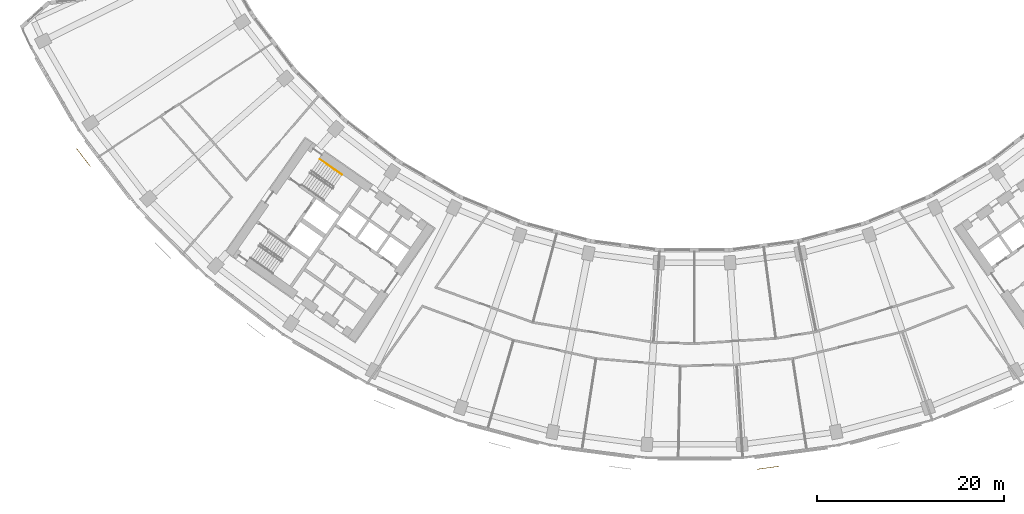
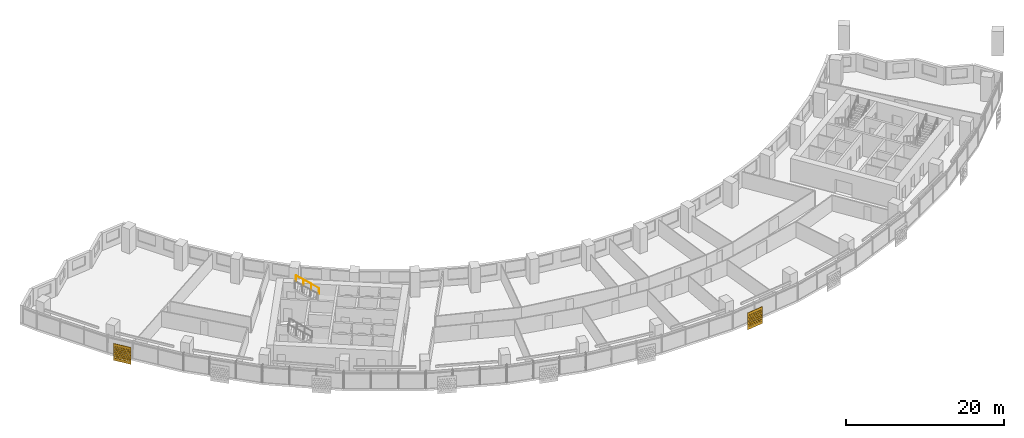
# One storey, part 26 of 29: 2 shading devices, 1 railing.
"""IFC4 building model written with IfcOpenShell, lengths in metres."""

from ifc_helpers import new_model, si_unit, direction, frame, origin, origin_2d, place, context, subcontext, project, spatial, polyline, circle, outline, extrude, material, material_profile, profile_set, type_object, element, save


model = new_model("IFC4")

# Units and contexts
model_context = context("Model", 3, precision=1e-05, world=origin(), true_north=direction((0.0, 1.0)))
body_context = subcontext(model_context, "Body", "Model", "MODEL_VIEW")
ifc_project = project(units=[si_unit("LENGTHUNIT", "METRE"), si_unit("AREAUNIT", "SQUARE_METRE"), si_unit("VOLUMEUNIT", "CUBIC_METRE"), si_unit("PLANEANGLEUNIT", "RADIAN"), si_unit("MASSUNIT", "GRAM", prefix="KILO")], contexts=[model_context])

# Site, building, storey
site_placement = place(None, origin())
site = spatial("IfcSite", under=ifc_project, at=site_placement, CompositionType="ELEMENT")
building_placement = place(site_placement, origin())
building = spatial("IfcBuilding", under=site, at=building_placement, Name="Qamariyya Broadcast Tower", CompositionType="ELEMENT")
storey_placement = place(building_placement, frame((0.0, 0.0, 113.89990234375)))
storey = spatial("IfcBuildingStorey", under=building, at=storey_placement, Name="L25", CompositionType="ELEMENT", Elevation=113.89990234375)

# Shading devices
ifc_material_1 = material(Name="Perforated glazed terracotta", Category="masonry")
ifc_material_profile = material_profile(ifc_material_1, outline(polyline([(-1.199951171875, -1.300048828125), (1.199951171875, -1.300048828125), (1.199951171875, 1.300048828125), (-1.199951171875, 1.300048828125), (-1.199951171875, -1.300048828125)]), holes=[polyline([(-0.81494140625, -0.86669921875), (-0.89990234375, -0.78173828125), (-0.985107421875, -0.86669921875), (-0.89990234375, -0.95166015625), (-0.81494140625, -0.86669921875)]), polyline([(-0.514892578125, -0.86669921875), (-0.60009765625, -0.78173828125), (-0.68505859375, -0.86669921875), (-0.60009765625, -0.95166015625), (-0.514892578125, -0.86669921875)]), polyline([(-0.215087890625, -0.86669921875), (-0.300048828125, -0.78173828125), (-0.385009765625, -0.86669921875), (-0.300048828125, -0.95166015625), (-0.215087890625, -0.86669921875)]), polyline([(0.0849609375, -0.86669921875), (0.0, -0.78173828125), (-0.0849609375, -0.86669921875), (0.0, -0.95166015625), (0.0849609375, -0.86669921875)]), polyline([(0.385009765625, -0.86669921875), (0.300048828125, -0.78173828125), (0.215087890625, -0.86669921875), (0.300048828125, -0.95166015625), (0.385009765625, -0.86669921875)]), polyline([(0.68505859375, -0.86669921875), (0.60009765625, -0.78173828125), (0.514892578125, -0.86669921875), (0.60009765625, -0.95166015625), (0.68505859375, -0.86669921875)]), polyline([(0.985107421875, -0.86669921875), (0.89990234375, -0.78173828125), (0.81494140625, -0.86669921875), (0.89990234375, -0.95166015625), (0.985107421875, -0.86669921875)]), polyline([(-0.965087890625, -0.577880859375), (-1.050048828125, -0.49267578125), (-1.135009765625, -0.577880859375), (-1.050048828125, -0.662841796875), (-0.965087890625, -0.577880859375)]), polyline([(-0.6650390625, -0.577880859375), (-0.75, -0.49267578125), (-0.8349609375, -0.577880859375), (-0.75, -0.662841796875), (-0.6650390625, -0.577880859375)]), polyline([(-0.364990234375, -0.577880859375), (-0.449951171875, -0.49267578125), (-0.534912109375, -0.577880859375), (-0.449951171875, -0.662841796875), (-0.364990234375, -0.577880859375)]), polyline([(-0.06494140625, -0.577880859375), (-0.14990234375, -0.49267578125), (-0.235107421875, -0.577880859375), (-0.14990234375, -0.662841796875), (-0.06494140625, -0.577880859375)]), polyline([(0.235107421875, -0.577880859375), (0.14990234375, -0.49267578125), (0.06494140625, -0.577880859375), (0.14990234375, -0.662841796875), (0.235107421875, -0.577880859375)]), polyline([(0.534912109375, -0.577880859375), (0.449951171875, -0.49267578125), (0.364990234375, -0.577880859375), (0.449951171875, -0.662841796875), (0.534912109375, -0.577880859375)]), polyline([(0.8349609375, -0.577880859375), (0.75, -0.49267578125), (0.6650390625, -0.577880859375), (0.75, -0.662841796875), (0.8349609375, -0.577880859375)]), polyline([(1.135009765625, -0.577880859375), (1.050048828125, -0.49267578125), (0.965087890625, -0.577880859375), (1.050048828125, -0.662841796875), (1.135009765625, -0.577880859375)]), polyline([(-0.81494140625, -0.288818359375), (-0.89990234375, -0.203857421875), (-0.985107421875, -0.288818359375), (-0.89990234375, -0.373779296875), (-0.81494140625, -0.288818359375)]), polyline([(-0.514892578125, -0.288818359375), (-0.60009765625, -0.203857421875), (-0.68505859375, -0.288818359375), (-0.60009765625, -0.373779296875), (-0.514892578125, -0.288818359375)]), polyline([(-0.215087890625, -0.288818359375), (-0.300048828125, -0.203857421875), (-0.385009765625, -0.288818359375), (-0.300048828125, -0.373779296875), (-0.215087890625, -0.288818359375)]), polyline([(0.0849609375, -0.288818359375), (0.0, -0.203857421875), (-0.0849609375, -0.288818359375), (0.0, -0.373779296875), (0.0849609375, -0.288818359375)]), polyline([(0.385009765625, -0.288818359375), (0.300048828125, -0.203857421875), (0.215087890625, -0.288818359375), (0.300048828125, -0.373779296875), (0.385009765625, -0.288818359375)]), polyline([(0.68505859375, -0.288818359375), (0.60009765625, -0.203857421875), (0.514892578125, -0.288818359375), (0.60009765625, -0.373779296875), (0.68505859375, -0.288818359375)]), polyline([(0.985107421875, -0.288818359375), (0.89990234375, -0.203857421875), (0.81494140625, -0.288818359375), (0.89990234375, -0.373779296875), (0.985107421875, -0.288818359375)]), polyline([(-0.965087890625, 0.0), (-1.050048828125, 0.0849609375), (-1.135009765625, 0.0), (-1.050048828125, -0.0849609375), (-0.965087890625, 0.0)]), polyline([(-0.6650390625, 0.0), (-0.75, 0.0849609375), (-0.8349609375, 0.0), (-0.75, -0.0849609375), (-0.6650390625, 0.0)]), polyline([(-0.364990234375, 0.0), (-0.449951171875, 0.0849609375), (-0.534912109375, 0.0), (-0.449951171875, -0.0849609375), (-0.364990234375, 0.0)]), polyline([(-0.06494140625, 0.0), (-0.14990234375, 0.0849609375), (-0.235107421875, 0.0), (-0.14990234375, -0.0849609375), (-0.06494140625, 0.0)]), polyline([(0.235107421875, 0.0), (0.14990234375, 0.0849609375), (0.06494140625, 0.0), (0.14990234375, -0.0849609375), (0.235107421875, 0.0)]), polyline([(0.534912109375, 0.0), (0.449951171875, 0.0849609375), (0.364990234375, 0.0), (0.449951171875, -0.0849609375), (0.534912109375, 0.0)]), polyline([(0.8349609375, 0.0), (0.75, 0.0849609375), (0.6650390625, 0.0), (0.75, -0.0849609375), (0.8349609375, 0.0)]), polyline([(1.135009765625, 0.0), (1.050048828125, 0.0849609375), (0.965087890625, 0.0), (1.050048828125, -0.0849609375), (1.135009765625, 0.0)]), polyline([(-0.81494140625, 0.288818359375), (-0.89990234375, 0.373779296875), (-0.985107421875, 0.288818359375), (-0.89990234375, 0.203857421875), (-0.81494140625, 0.288818359375)]), polyline([(-0.514892578125, 0.288818359375), (-0.60009765625, 0.373779296875), (-0.68505859375, 0.288818359375), (-0.60009765625, 0.203857421875), (-0.514892578125, 0.288818359375)]), polyline([(-0.215087890625, 0.288818359375), (-0.300048828125, 0.373779296875), (-0.385009765625, 0.288818359375), (-0.300048828125, 0.203857421875), (-0.215087890625, 0.288818359375)]), polyline([(0.0849609375, 0.288818359375), (0.0, 0.373779296875), (-0.0849609375, 0.288818359375), (0.0, 0.203857421875), (0.0849609375, 0.288818359375)]), polyline([(0.385009765625, 0.288818359375), (0.300048828125, 0.373779296875), (0.215087890625, 0.288818359375), (0.300048828125, 0.203857421875), (0.385009765625, 0.288818359375)]), polyline([(0.68505859375, 0.288818359375), (0.60009765625, 0.373779296875), (0.514892578125, 0.288818359375), (0.60009765625, 0.203857421875), (0.68505859375, 0.288818359375)]), polyline([(0.985107421875, 0.288818359375), (0.89990234375, 0.373779296875), (0.81494140625, 0.288818359375), (0.89990234375, 0.203857421875), (0.985107421875, 0.288818359375)]), polyline([(-0.965087890625, 0.577880859375), (-1.050048828125, 0.662841796875), (-1.135009765625, 0.577880859375), (-1.050048828125, 0.49267578125), (-0.965087890625, 0.577880859375)]), polyline([(-0.6650390625, 0.577880859375), (-0.75, 0.662841796875), (-0.8349609375, 0.577880859375), (-0.75, 0.49267578125), (-0.6650390625, 0.577880859375)]), polyline([(-0.364990234375, 0.577880859375), (-0.449951171875, 0.662841796875), (-0.534912109375, 0.577880859375), (-0.449951171875, 0.49267578125), (-0.364990234375, 0.577880859375)]), polyline([(-0.06494140625, 0.577880859375), (-0.14990234375, 0.662841796875), (-0.235107421875, 0.577880859375), (-0.14990234375, 0.49267578125), (-0.06494140625, 0.577880859375)]), polyline([(0.235107421875, 0.577880859375), (0.14990234375, 0.662841796875), (0.06494140625, 0.577880859375), (0.14990234375, 0.49267578125), (0.235107421875, 0.577880859375)]), polyline([(0.534912109375, 0.577880859375), (0.449951171875, 0.662841796875), (0.364990234375, 0.577880859375), (0.449951171875, 0.49267578125), (0.534912109375, 0.577880859375)]), polyline([(0.8349609375, 0.577880859375), (0.75, 0.662841796875), (0.6650390625, 0.577880859375), (0.75, 0.49267578125), (0.8349609375, 0.577880859375)]), polyline([(1.135009765625, 0.577880859375), (1.050048828125, 0.662841796875), (0.965087890625, 0.577880859375), (1.050048828125, 0.49267578125), (1.135009765625, 0.577880859375)]), polyline([(-0.81494140625, 0.86669921875), (-0.89990234375, 0.95166015625), (-0.985107421875, 0.86669921875), (-0.89990234375, 0.78173828125), (-0.81494140625, 0.86669921875)]), polyline([(-0.514892578125, 0.86669921875), (-0.60009765625, 0.95166015625), (-0.68505859375, 0.86669921875), (-0.60009765625, 0.78173828125), (-0.514892578125, 0.86669921875)]), polyline([(-0.215087890625, 0.86669921875), (-0.300048828125, 0.95166015625), (-0.385009765625, 0.86669921875), (-0.300048828125, 0.78173828125), (-0.215087890625, 0.86669921875)]), polyline([(0.0849609375, 0.86669921875), (0.0, 0.95166015625), (-0.0849609375, 0.86669921875), (0.0, 0.78173828125), (0.0849609375, 0.86669921875)]), polyline([(0.385009765625, 0.86669921875), (0.300048828125, 0.95166015625), (0.215087890625, 0.86669921875), (0.300048828125, 0.78173828125), (0.385009765625, 0.86669921875)]), polyline([(0.68505859375, 0.86669921875), (0.60009765625, 0.95166015625), (0.514892578125, 0.86669921875), (0.60009765625, 0.78173828125), (0.68505859375, 0.86669921875)]), polyline([(0.985107421875, 0.86669921875), (0.89990234375, 0.95166015625), (0.81494140625, 0.86669921875), (0.89990234375, 0.78173828125), (0.985107421875, 0.86669921875)])]))
ifc_profile_set = profile_set([ifc_material_profile], Name="Perforated glazed terracotta")
shading_device_type = type_object("IfcShadingDeviceType", Name="Perforated terracotta screen 2400 x 2600", PredefinedType="USERDEFINED", material=ifc_profile_set)
shading_device_1_placement = place(storey_placement, frame((-65.392822265625, -46.85009765625, 1.35009765625), z_axis=(-0.792623989105, -0.60971076085, 0.0), x_axis=(0.60971076085, -0.792623989105, 0.0)))
element("IfcShadingDevice", 1, at=shading_device_1_placement, inside=storey, type_object=shading_device_type, Name="e-scr-L25-02-0", ObjectType="SCREEN", PredefinedType="USERDEFINED", context=body_context, shape_type="SweptSolid", body=[
    extrude(outline(polyline([(-1.199951171875, -1.300048828125), (1.199951171875, -1.300048828125), (1.199951171875, 1.300048828125), (-1.199951171875, 1.300048828125), (-1.199951171875, -1.300048828125)]), holes=[polyline([(-0.81494140625, -0.86669921875), (-0.89990234375, -0.78173828125), (-0.985107421875, -0.86669921875), (-0.89990234375, -0.95166015625), (-0.81494140625, -0.86669921875)]), polyline([(-0.514892578125, -0.86669921875), (-0.60009765625, -0.78173828125), (-0.68505859375, -0.86669921875), (-0.60009765625, -0.95166015625), (-0.514892578125, -0.86669921875)]), polyline([(-0.215087890625, -0.86669921875), (-0.300048828125, -0.78173828125), (-0.385009765625, -0.86669921875), (-0.300048828125, -0.95166015625), (-0.215087890625, -0.86669921875)]), polyline([(0.0849609375, -0.86669921875), (0.0, -0.78173828125), (-0.0849609375, -0.86669921875), (0.0, -0.95166015625), (0.0849609375, -0.86669921875)]), polyline([(0.385009765625, -0.86669921875), (0.300048828125, -0.78173828125), (0.215087890625, -0.86669921875), (0.300048828125, -0.95166015625), (0.385009765625, -0.86669921875)]), polyline([(0.68505859375, -0.86669921875), (0.60009765625, -0.78173828125), (0.514892578125, -0.86669921875), (0.60009765625, -0.95166015625), (0.68505859375, -0.86669921875)]), polyline([(0.985107421875, -0.86669921875), (0.89990234375, -0.78173828125), (0.81494140625, -0.86669921875), (0.89990234375, -0.95166015625), (0.985107421875, -0.86669921875)]), polyline([(-0.965087890625, -0.577880859375), (-1.050048828125, -0.49267578125), (-1.135009765625, -0.577880859375), (-1.050048828125, -0.662841796875), (-0.965087890625, -0.577880859375)]), polyline([(-0.6650390625, -0.577880859375), (-0.75, -0.49267578125), (-0.8349609375, -0.577880859375), (-0.75, -0.662841796875), (-0.6650390625, -0.577880859375)]), polyline([(-0.364990234375, -0.577880859375), (-0.449951171875, -0.49267578125), (-0.534912109375, -0.577880859375), (-0.449951171875, -0.662841796875), (-0.364990234375, -0.577880859375)]), polyline([(-0.06494140625, -0.577880859375), (-0.14990234375, -0.49267578125), (-0.235107421875, -0.577880859375), (-0.14990234375, -0.662841796875), (-0.06494140625, -0.577880859375)]), polyline([(0.235107421875, -0.577880859375), (0.14990234375, -0.49267578125), (0.06494140625, -0.577880859375), (0.14990234375, -0.662841796875), (0.235107421875, -0.577880859375)]), polyline([(0.534912109375, -0.577880859375), (0.449951171875, -0.49267578125), (0.364990234375, -0.577880859375), (0.449951171875, -0.662841796875), (0.534912109375, -0.577880859375)]), polyline([(0.8349609375, -0.577880859375), (0.75, -0.49267578125), (0.6650390625, -0.577880859375), (0.75, -0.662841796875), (0.8349609375, -0.577880859375)]), polyline([(1.135009765625, -0.577880859375), (1.050048828125, -0.49267578125), (0.965087890625, -0.577880859375), (1.050048828125, -0.662841796875), (1.135009765625, -0.577880859375)]), polyline([(-0.81494140625, -0.288818359375), (-0.89990234375, -0.203857421875), (-0.985107421875, -0.288818359375), (-0.89990234375, -0.373779296875), (-0.81494140625, -0.288818359375)]), polyline([(-0.514892578125, -0.288818359375), (-0.60009765625, -0.203857421875), (-0.68505859375, -0.288818359375), (-0.60009765625, -0.373779296875), (-0.514892578125, -0.288818359375)]), polyline([(-0.215087890625, -0.288818359375), (-0.300048828125, -0.203857421875), (-0.385009765625, -0.288818359375), (-0.300048828125, -0.373779296875), (-0.215087890625, -0.288818359375)]), polyline([(0.0849609375, -0.288818359375), (0.0, -0.203857421875), (-0.0849609375, -0.288818359375), (0.0, -0.373779296875), (0.0849609375, -0.288818359375)]), polyline([(0.385009765625, -0.288818359375), (0.300048828125, -0.203857421875), (0.215087890625, -0.288818359375), (0.300048828125, -0.373779296875), (0.385009765625, -0.288818359375)]), polyline([(0.68505859375, -0.288818359375), (0.60009765625, -0.203857421875), (0.514892578125, -0.288818359375), (0.60009765625, -0.373779296875), (0.68505859375, -0.288818359375)]), polyline([(0.985107421875, -0.288818359375), (0.89990234375, -0.203857421875), (0.81494140625, -0.288818359375), (0.89990234375, -0.373779296875), (0.985107421875, -0.288818359375)]), polyline([(-0.965087890625, 0.0), (-1.050048828125, 0.0849609375), (-1.135009765625, 0.0), (-1.050048828125, -0.0849609375), (-0.965087890625, 0.0)]), polyline([(-0.6650390625, 0.0), (-0.75, 0.0849609375), (-0.8349609375, 0.0), (-0.75, -0.0849609375), (-0.6650390625, 0.0)]), polyline([(-0.364990234375, 0.0), (-0.449951171875, 0.0849609375), (-0.534912109375, 0.0), (-0.449951171875, -0.0849609375), (-0.364990234375, 0.0)]), polyline([(-0.06494140625, 0.0), (-0.14990234375, 0.0849609375), (-0.235107421875, 0.0), (-0.14990234375, -0.0849609375), (-0.06494140625, 0.0)]), polyline([(0.235107421875, 0.0), (0.14990234375, 0.0849609375), (0.06494140625, 0.0), (0.14990234375, -0.0849609375), (0.235107421875, 0.0)]), polyline([(0.534912109375, 0.0), (0.449951171875, 0.0849609375), (0.364990234375, 0.0), (0.449951171875, -0.0849609375), (0.534912109375, 0.0)]), polyline([(0.8349609375, 0.0), (0.75, 0.0849609375), (0.6650390625, 0.0), (0.75, -0.0849609375), (0.8349609375, 0.0)]), polyline([(1.135009765625, 0.0), (1.050048828125, 0.0849609375), (0.965087890625, 0.0), (1.050048828125, -0.0849609375), (1.135009765625, 0.0)]), polyline([(-0.81494140625, 0.288818359375), (-0.89990234375, 0.373779296875), (-0.985107421875, 0.288818359375), (-0.89990234375, 0.203857421875), (-0.81494140625, 0.288818359375)]), polyline([(-0.514892578125, 0.288818359375), (-0.60009765625, 0.373779296875), (-0.68505859375, 0.288818359375), (-0.60009765625, 0.203857421875), (-0.514892578125, 0.288818359375)]), polyline([(-0.215087890625, 0.288818359375), (-0.300048828125, 0.373779296875), (-0.385009765625, 0.288818359375), (-0.300048828125, 0.203857421875), (-0.215087890625, 0.288818359375)]), polyline([(0.0849609375, 0.288818359375), (0.0, 0.373779296875), (-0.0849609375, 0.288818359375), (0.0, 0.203857421875), (0.0849609375, 0.288818359375)]), polyline([(0.385009765625, 0.288818359375), (0.300048828125, 0.373779296875), (0.215087890625, 0.288818359375), (0.300048828125, 0.203857421875), (0.385009765625, 0.288818359375)]), polyline([(0.68505859375, 0.288818359375), (0.60009765625, 0.373779296875), (0.514892578125, 0.288818359375), (0.60009765625, 0.203857421875), (0.68505859375, 0.288818359375)]), polyline([(0.985107421875, 0.288818359375), (0.89990234375, 0.373779296875), (0.81494140625, 0.288818359375), (0.89990234375, 0.203857421875), (0.985107421875, 0.288818359375)]), polyline([(-0.965087890625, 0.577880859375), (-1.050048828125, 0.662841796875), (-1.135009765625, 0.577880859375), (-1.050048828125, 0.49267578125), (-0.965087890625, 0.577880859375)]), polyline([(-0.6650390625, 0.577880859375), (-0.75, 0.662841796875), (-0.8349609375, 0.577880859375), (-0.75, 0.49267578125), (-0.6650390625, 0.577880859375)]), polyline([(-0.364990234375, 0.577880859375), (-0.449951171875, 0.662841796875), (-0.534912109375, 0.577880859375), (-0.449951171875, 0.49267578125), (-0.364990234375, 0.577880859375)]), polyline([(-0.06494140625, 0.577880859375), (-0.14990234375, 0.662841796875), (-0.235107421875, 0.577880859375), (-0.14990234375, 0.49267578125), (-0.06494140625, 0.577880859375)]), polyline([(0.235107421875, 0.577880859375), (0.14990234375, 0.662841796875), (0.06494140625, 0.577880859375), (0.14990234375, 0.49267578125), (0.235107421875, 0.577880859375)]), polyline([(0.534912109375, 0.577880859375), (0.449951171875, 0.662841796875), (0.364990234375, 0.577880859375), (0.449951171875, 0.49267578125), (0.534912109375, 0.577880859375)]), polyline([(0.8349609375, 0.577880859375), (0.75, 0.662841796875), (0.6650390625, 0.577880859375), (0.75, 0.49267578125), (0.8349609375, 0.577880859375)]), polyline([(1.135009765625, 0.577880859375), (1.050048828125, 0.662841796875), (0.965087890625, 0.577880859375), (1.050048828125, 0.49267578125), (1.135009765625, 0.577880859375)]), polyline([(-0.81494140625, 0.86669921875), (-0.89990234375, 0.95166015625), (-0.985107421875, 0.86669921875), (-0.89990234375, 0.78173828125), (-0.81494140625, 0.86669921875)]), polyline([(-0.514892578125, 0.86669921875), (-0.60009765625, 0.95166015625), (-0.68505859375, 0.86669921875), (-0.60009765625, 0.78173828125), (-0.514892578125, 0.86669921875)]), polyline([(-0.215087890625, 0.86669921875), (-0.300048828125, 0.95166015625), (-0.385009765625, 0.86669921875), (-0.300048828125, 0.78173828125), (-0.215087890625, 0.86669921875)]), polyline([(0.0849609375, 0.86669921875), (0.0, 0.95166015625), (-0.0849609375, 0.86669921875), (0.0, 0.78173828125), (0.0849609375, 0.86669921875)]), polyline([(0.385009765625, 0.86669921875), (0.300048828125, 0.95166015625), (0.215087890625, 0.86669921875), (0.300048828125, 0.78173828125), (0.385009765625, 0.86669921875)]), polyline([(0.68505859375, 0.86669921875), (0.60009765625, 0.95166015625), (0.514892578125, 0.86669921875), (0.60009765625, 0.78173828125), (0.68505859375, 0.86669921875)]), polyline([(0.985107421875, 0.86669921875), (0.89990234375, 0.95166015625), (0.81494140625, 0.86669921875), (0.89990234375, 0.78173828125), (0.985107421875, 0.86669921875)])]), origin(), (0.0, 0.0, 1.0), 0.06005859375),
])
shading_device_2_placement = place(storey_placement, frame((7.876953125, -80.056884765625, 1.35009765625), z_axis=(0.134025693798, -0.99097785717, 0.0), x_axis=(0.99097785717, 0.134025693798, 0.0)))
element("IfcShadingDevice", 2, at=shading_device_2_placement, inside=storey, type_object=shading_device_type, Name="e-scr-L25-10-0", ObjectType="SCREEN", PredefinedType="USERDEFINED", context=body_context, shape_type="SweptSolid", body=[
    extrude(outline(polyline([(-1.199951171875, -1.300048828125), (1.199951171875, -1.300048828125), (1.199951171875, 1.300048828125), (-1.199951171875, 1.300048828125), (-1.199951171875, -1.300048828125)]), holes=[polyline([(-0.81494140625, -0.86669921875), (-0.89990234375, -0.78173828125), (-0.985107421875, -0.86669921875), (-0.89990234375, -0.95166015625), (-0.81494140625, -0.86669921875)]), polyline([(-0.514892578125, -0.86669921875), (-0.60009765625, -0.78173828125), (-0.68505859375, -0.86669921875), (-0.60009765625, -0.95166015625), (-0.514892578125, -0.86669921875)]), polyline([(-0.215087890625, -0.86669921875), (-0.300048828125, -0.78173828125), (-0.385009765625, -0.86669921875), (-0.300048828125, -0.95166015625), (-0.215087890625, -0.86669921875)]), polyline([(0.0849609375, -0.86669921875), (0.0, -0.78173828125), (-0.0849609375, -0.86669921875), (0.0, -0.95166015625), (0.0849609375, -0.86669921875)]), polyline([(0.385009765625, -0.86669921875), (0.300048828125, -0.78173828125), (0.215087890625, -0.86669921875), (0.300048828125, -0.95166015625), (0.385009765625, -0.86669921875)]), polyline([(0.68505859375, -0.86669921875), (0.60009765625, -0.78173828125), (0.514892578125, -0.86669921875), (0.60009765625, -0.95166015625), (0.68505859375, -0.86669921875)]), polyline([(0.985107421875, -0.86669921875), (0.89990234375, -0.78173828125), (0.81494140625, -0.86669921875), (0.89990234375, -0.95166015625), (0.985107421875, -0.86669921875)]), polyline([(-0.965087890625, -0.577880859375), (-1.050048828125, -0.49267578125), (-1.135009765625, -0.577880859375), (-1.050048828125, -0.662841796875), (-0.965087890625, -0.577880859375)]), polyline([(-0.6650390625, -0.577880859375), (-0.75, -0.49267578125), (-0.8349609375, -0.577880859375), (-0.75, -0.662841796875), (-0.6650390625, -0.577880859375)]), polyline([(-0.364990234375, -0.577880859375), (-0.449951171875, -0.49267578125), (-0.534912109375, -0.577880859375), (-0.449951171875, -0.662841796875), (-0.364990234375, -0.577880859375)]), polyline([(-0.06494140625, -0.577880859375), (-0.14990234375, -0.49267578125), (-0.235107421875, -0.577880859375), (-0.14990234375, -0.662841796875), (-0.06494140625, -0.577880859375)]), polyline([(0.235107421875, -0.577880859375), (0.14990234375, -0.49267578125), (0.06494140625, -0.577880859375), (0.14990234375, -0.662841796875), (0.235107421875, -0.577880859375)]), polyline([(0.534912109375, -0.577880859375), (0.449951171875, -0.49267578125), (0.364990234375, -0.577880859375), (0.449951171875, -0.662841796875), (0.534912109375, -0.577880859375)]), polyline([(0.8349609375, -0.577880859375), (0.75, -0.49267578125), (0.6650390625, -0.577880859375), (0.75, -0.662841796875), (0.8349609375, -0.577880859375)]), polyline([(1.135009765625, -0.577880859375), (1.050048828125, -0.49267578125), (0.965087890625, -0.577880859375), (1.050048828125, -0.662841796875), (1.135009765625, -0.577880859375)]), polyline([(-0.81494140625, -0.288818359375), (-0.89990234375, -0.203857421875), (-0.985107421875, -0.288818359375), (-0.89990234375, -0.373779296875), (-0.81494140625, -0.288818359375)]), polyline([(-0.514892578125, -0.288818359375), (-0.60009765625, -0.203857421875), (-0.68505859375, -0.288818359375), (-0.60009765625, -0.373779296875), (-0.514892578125, -0.288818359375)]), polyline([(-0.215087890625, -0.288818359375), (-0.300048828125, -0.203857421875), (-0.385009765625, -0.288818359375), (-0.300048828125, -0.373779296875), (-0.215087890625, -0.288818359375)]), polyline([(0.0849609375, -0.288818359375), (0.0, -0.203857421875), (-0.0849609375, -0.288818359375), (0.0, -0.373779296875), (0.0849609375, -0.288818359375)]), polyline([(0.385009765625, -0.288818359375), (0.300048828125, -0.203857421875), (0.215087890625, -0.288818359375), (0.300048828125, -0.373779296875), (0.385009765625, -0.288818359375)]), polyline([(0.68505859375, -0.288818359375), (0.60009765625, -0.203857421875), (0.514892578125, -0.288818359375), (0.60009765625, -0.373779296875), (0.68505859375, -0.288818359375)]), polyline([(0.985107421875, -0.288818359375), (0.89990234375, -0.203857421875), (0.81494140625, -0.288818359375), (0.89990234375, -0.373779296875), (0.985107421875, -0.288818359375)]), polyline([(-0.965087890625, 0.0), (-1.050048828125, 0.0849609375), (-1.135009765625, 0.0), (-1.050048828125, -0.0849609375), (-0.965087890625, 0.0)]), polyline([(-0.6650390625, 0.0), (-0.75, 0.0849609375), (-0.8349609375, 0.0), (-0.75, -0.0849609375), (-0.6650390625, 0.0)]), polyline([(-0.364990234375, 0.0), (-0.449951171875, 0.0849609375), (-0.534912109375, 0.0), (-0.449951171875, -0.0849609375), (-0.364990234375, 0.0)]), polyline([(-0.06494140625, 0.0), (-0.14990234375, 0.0849609375), (-0.235107421875, 0.0), (-0.14990234375, -0.0849609375), (-0.06494140625, 0.0)]), polyline([(0.235107421875, 0.0), (0.14990234375, 0.0849609375), (0.06494140625, 0.0), (0.14990234375, -0.0849609375), (0.235107421875, 0.0)]), polyline([(0.534912109375, 0.0), (0.449951171875, 0.0849609375), (0.364990234375, 0.0), (0.449951171875, -0.0849609375), (0.534912109375, 0.0)]), polyline([(0.8349609375, 0.0), (0.75, 0.0849609375), (0.6650390625, 0.0), (0.75, -0.0849609375), (0.8349609375, 0.0)]), polyline([(1.135009765625, 0.0), (1.050048828125, 0.0849609375), (0.965087890625, 0.0), (1.050048828125, -0.0849609375), (1.135009765625, 0.0)]), polyline([(-0.81494140625, 0.288818359375), (-0.89990234375, 0.373779296875), (-0.985107421875, 0.288818359375), (-0.89990234375, 0.203857421875), (-0.81494140625, 0.288818359375)]), polyline([(-0.514892578125, 0.288818359375), (-0.60009765625, 0.373779296875), (-0.68505859375, 0.288818359375), (-0.60009765625, 0.203857421875), (-0.514892578125, 0.288818359375)]), polyline([(-0.215087890625, 0.288818359375), (-0.300048828125, 0.373779296875), (-0.385009765625, 0.288818359375), (-0.300048828125, 0.203857421875), (-0.215087890625, 0.288818359375)]), polyline([(0.0849609375, 0.288818359375), (0.0, 0.373779296875), (-0.0849609375, 0.288818359375), (0.0, 0.203857421875), (0.0849609375, 0.288818359375)]), polyline([(0.385009765625, 0.288818359375), (0.300048828125, 0.373779296875), (0.215087890625, 0.288818359375), (0.300048828125, 0.203857421875), (0.385009765625, 0.288818359375)]), polyline([(0.68505859375, 0.288818359375), (0.60009765625, 0.373779296875), (0.514892578125, 0.288818359375), (0.60009765625, 0.203857421875), (0.68505859375, 0.288818359375)]), polyline([(0.985107421875, 0.288818359375), (0.89990234375, 0.373779296875), (0.81494140625, 0.288818359375), (0.89990234375, 0.203857421875), (0.985107421875, 0.288818359375)]), polyline([(-0.965087890625, 0.577880859375), (-1.050048828125, 0.662841796875), (-1.135009765625, 0.577880859375), (-1.050048828125, 0.49267578125), (-0.965087890625, 0.577880859375)]), polyline([(-0.6650390625, 0.577880859375), (-0.75, 0.662841796875), (-0.8349609375, 0.577880859375), (-0.75, 0.49267578125), (-0.6650390625, 0.577880859375)]), polyline([(-0.364990234375, 0.577880859375), (-0.449951171875, 0.662841796875), (-0.534912109375, 0.577880859375), (-0.449951171875, 0.49267578125), (-0.364990234375, 0.577880859375)]), polyline([(-0.06494140625, 0.577880859375), (-0.14990234375, 0.662841796875), (-0.235107421875, 0.577880859375), (-0.14990234375, 0.49267578125), (-0.06494140625, 0.577880859375)]), polyline([(0.235107421875, 0.577880859375), (0.14990234375, 0.662841796875), (0.06494140625, 0.577880859375), (0.14990234375, 0.49267578125), (0.235107421875, 0.577880859375)]), polyline([(0.534912109375, 0.577880859375), (0.449951171875, 0.662841796875), (0.364990234375, 0.577880859375), (0.449951171875, 0.49267578125), (0.534912109375, 0.577880859375)]), polyline([(0.8349609375, 0.577880859375), (0.75, 0.662841796875), (0.6650390625, 0.577880859375), (0.75, 0.49267578125), (0.8349609375, 0.577880859375)]), polyline([(1.135009765625, 0.577880859375), (1.050048828125, 0.662841796875), (0.965087890625, 0.577880859375), (1.050048828125, 0.49267578125), (1.135009765625, 0.577880859375)]), polyline([(-0.81494140625, 0.86669921875), (-0.89990234375, 0.95166015625), (-0.985107421875, 0.86669921875), (-0.89990234375, 0.78173828125), (-0.81494140625, 0.86669921875)]), polyline([(-0.514892578125, 0.86669921875), (-0.60009765625, 0.95166015625), (-0.68505859375, 0.86669921875), (-0.60009765625, 0.78173828125), (-0.514892578125, 0.86669921875)]), polyline([(-0.215087890625, 0.86669921875), (-0.300048828125, 0.95166015625), (-0.385009765625, 0.86669921875), (-0.300048828125, 0.78173828125), (-0.215087890625, 0.86669921875)]), polyline([(0.0849609375, 0.86669921875), (0.0, 0.95166015625), (-0.0849609375, 0.86669921875), (0.0, 0.78173828125), (0.0849609375, 0.86669921875)]), polyline([(0.385009765625, 0.86669921875), (0.300048828125, 0.95166015625), (0.215087890625, 0.86669921875), (0.300048828125, 0.78173828125), (0.385009765625, 0.86669921875)]), polyline([(0.68505859375, 0.86669921875), (0.60009765625, 0.95166015625), (0.514892578125, 0.86669921875), (0.60009765625, 0.78173828125), (0.68505859375, 0.86669921875)]), polyline([(0.985107421875, 0.86669921875), (0.89990234375, 0.95166015625), (0.81494140625, 0.86669921875), (0.89990234375, 0.78173828125), (0.985107421875, 0.86669921875)])]), origin(), (0.0, 0.0, 1.0), 0.06005859375),
])

# Railing
ifc_material_2 = material(Name="Stainless steel", Category="steel")
railing_type = type_object("IfcRailingType", Name="Stair handrail", PredefinedType="HANDRAIL", material=ifc_material_2)
railing_placement = place(storey_placement, frame((-37.73876953125, -48.7138671875, 2.07275390625)))
element("IfcRailing", 3, at=railing_placement, inside=storey, type_object=railing_type, Name="L25 ST-W2 stair handrail 2", PredefinedType="HANDRAIL", context=body_context, shape_type="SweptSolid", body=[
    extrude(circle(Radius=0.02392578125, at=origin_2d()), frame((0.0, 0.0, 0.8759765625), z_axis=(-0.703745009021, 0.492838488332, 0.511715923826), x_axis=(-0.573631830683, -0.819113253969, 0.0)), (0.0, 0.0, 1.0), 3.37548828125),
    extrude(circle(Radius=0.02099609375, at=origin_2d()), origin(), (0.0, 0.0, 1.0), 0.851806640625),
    extrude(circle(Radius=0.02099609375, at=origin_2d()), frame((-0.791748046875, 0.554443359375, 0.57568359375)), (0.0, 0.0, 1.0), 0.851806640625),
    extrude(circle(Radius=0.02099609375, at=origin_2d()), frame((-1.583740234375, 1.109130859375, 1.151611328125)), (0.0, 0.0, 1.0), 0.851806640625),
    extrude(circle(Radius=0.02099609375, at=origin_2d()), frame((-2.37548828125, 1.66357421875, 1.727294921875)), (0.0, 0.0, 1.0), 0.851806640625),
])

save(model, "model.ifc")
